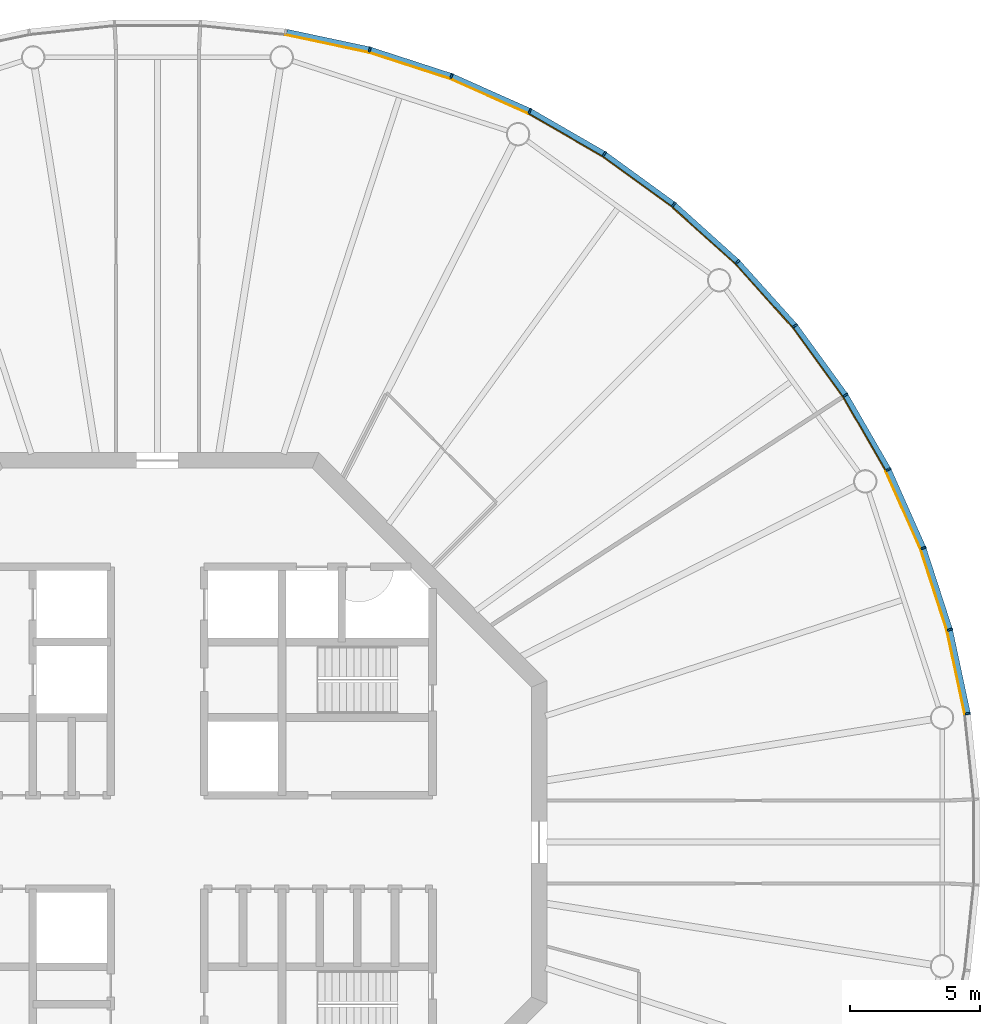
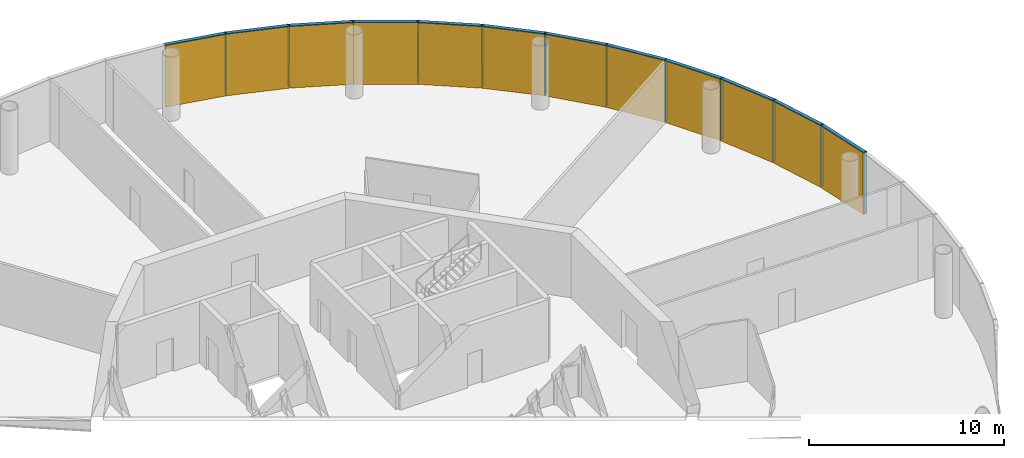
# One storey, part 12 of 13: 24 members, 4 curtain walls.
"""IFC4 building model written with IfcOpenShell, lengths in metres."""

from ifc_helpers import new_model, si_unit, direction, frame, origin, origin_2d, place, context, subcontext, project, spatial, polyline, rectangle, outline, extrude, material, layer, layer_set, material_profile, profile_set, type_object, element, aggregate, save


model = new_model("IFC4")

# Units and contexts
model_context = context("Model", 3, precision=1e-05, world=origin(), true_north=direction((0.0, 1.0)))
body_context = subcontext(model_context, "Body", "Model", "MODEL_VIEW")
ifc_project = project(units=[si_unit("LENGTHUNIT", "METRE"), si_unit("AREAUNIT", "SQUARE_METRE"), si_unit("VOLUMEUNIT", "CUBIC_METRE"), si_unit("PLANEANGLEUNIT", "RADIAN"), si_unit("MASSUNIT", "GRAM", prefix="KILO")], contexts=[model_context])

# Member
ifc_material_1 = material(Name="Anodised aluminium", Category="aluminium")
ifc_material_profile_1 = material_profile(ifc_material_1, rectangle(XDim=0.070068359375, YDim=0.205078125, at=origin_2d()), Name="Mullion 70 x 205 mm anodised aluminium")
ifc_profile_set_1 = profile_set([ifc_material_profile_1], Name="Anodised aluminium")
member_type_1 = type_object("IfcMemberType", Name="Mullion 70 x 205 mm anodised aluminium", PredefinedType="MULLION", material=ifc_profile_set_1)
site_placement = place(None, origin())
building_placement = place(site_placement, origin())
storey_placement = place(building_placement, frame((0.0, 0.0, 364.0)))
member_1_placement = place(storey_placement, frame((121.21337890625, 84.943603515625, 0.0), z_axis=(0.0, 0.0, 1.0), x_axis=(-0.15643446504, 0.987688340595, 0.0)))
member_1 = element("IfcMember", 1, at=member_1_placement, type_object=member_type_1, Name="MULLION L84-00", PredefinedType="MULLION", context=body_context, shape_type="SweptSolid", body=[
    extrude(rectangle(XDim=0.070068359375, YDim=0.205078125, at=origin_2d()), origin(), (0.0, 0.0, 1.0), 3.85009765625),
])

member_2_placement = place(storey_placement, frame((120.525634765625, 88.179443359375, 0.0), z_axis=(0.0, 0.0, 1.0), x_axis=(-0.258819045103, 0.965925826289, 0.0)))
member_2 = element("IfcMember", 2, at=member_2_placement, type_object=member_type_1, Name="MULLION L84-01", PredefinedType="MULLION", context=body_context, shape_type="SweptSolid", body=[
    extrude(rectangle(XDim=0.070068359375, YDim=0.205078125, at=origin_2d()), origin(), (0.0, 0.0, 1.0), 3.85009765625),
])

member_3_placement = place(storey_placement, frame((119.50341796875, 91.325439453125, 0.0), z_axis=(0.0, 0.0, 1.0), x_axis=(-0.358367949545, 0.933580426497, 0.0)))
member_3 = element("IfcMember", 3, at=member_3_placement, type_object=member_type_1, Name="MULLION L84-02", PredefinedType="MULLION", context=body_context, shape_type="SweptSolid", body=[
    extrude(rectangle(XDim=0.070068359375, YDim=0.205078125, at=origin_2d()), origin(), (0.0, 0.0, 1.0), 3.85009765625),
])

member_4_placement = place(storey_placement, frame((118.157958984375, 94.34716796875, 0.0), z_axis=(0.0, 0.0, 1.0), x_axis=(-0.45399049974, 0.891006524188, 0.0)))
member_4 = element("IfcMember", 4, at=member_4_placement, type_object=member_type_1, Name="MULLION L84-03", PredefinedType="MULLION", context=body_context, shape_type="SweptSolid", body=[
    extrude(rectangle(XDim=0.070068359375, YDim=0.205078125, at=origin_2d()), origin(), (0.0, 0.0, 1.0), 3.85009765625),
])

member_5_placement = place(storey_placement, frame((116.504150390625, 97.2119140625, 0.0), z_axis=(0.0, 0.0, 1.0), x_axis=(-0.544639035015, 0.838670567945, 0.0)))
member_5 = element("IfcMember", 5, at=member_5_placement, type_object=member_type_1, Name="MULLION L84-04", PredefinedType="MULLION", context=body_context, shape_type="SweptSolid", body=[
    extrude(rectangle(XDim=0.070068359375, YDim=0.205078125, at=origin_2d()), origin(), (0.0, 0.0, 1.0), 3.85009765625),
])

member_6_placement = place(storey_placement, frame((114.559814453125, 99.88818359375, 0.0), z_axis=(0.0, 0.0, 1.0), x_axis=(-0.62932039105, 0.777145961457, 0.0)))
member_6 = element("IfcMember", 6, at=member_6_placement, type_object=member_type_1, Name="MULLION L84-05", PredefinedType="MULLION", context=body_context, shape_type="SweptSolid", body=[
    extrude(rectangle(XDim=0.070068359375, YDim=0.205078125, at=origin_2d()), origin(), (0.0, 0.0, 1.0), 3.85009765625),
])

member_7_placement = place(storey_placement, frame((112.346435546875, 102.346435546875, 0.0), z_axis=(0.0, 0.0, 1.0), x_axis=(-0.707106781187, 0.707106781187, 0.0)))
member_7 = element("IfcMember", 7, at=member_7_placement, type_object=member_type_1, Name="MULLION L84-06", PredefinedType="MULLION", context=body_context, shape_type="SweptSolid", body=[
    extrude(rectangle(XDim=0.070068359375, YDim=0.205078125, at=origin_2d()), origin(), (0.0, 0.0, 1.0), 3.85009765625),
])

member_8_placement = place(storey_placement, frame((109.88818359375, 104.559814453125, 0.0), z_axis=(0.0, 0.0, 1.0), x_axis=(-0.777145961457, 0.62932039105, 0.0)))
member_8 = element("IfcMember", 8, at=member_8_placement, type_object=member_type_1, Name="MULLION L84-07", PredefinedType="MULLION", context=body_context, shape_type="SweptSolid", body=[
    extrude(rectangle(XDim=0.070068359375, YDim=0.205078125, at=origin_2d()), origin(), (0.0, 0.0, 1.0), 3.85009765625),
])

member_9_placement = place(storey_placement, frame((107.2119140625, 106.504150390625, 0.0), z_axis=(0.0, 0.0, 1.0), x_axis=(-0.838670567945, 0.544639035015, 0.0)))
member_9 = element("IfcMember", 9, at=member_9_placement, type_object=member_type_1, Name="MULLION L84-08", PredefinedType="MULLION", context=body_context, shape_type="SweptSolid", body=[
    extrude(rectangle(XDim=0.070068359375, YDim=0.205078125, at=origin_2d()), origin(), (0.0, 0.0, 1.0), 3.85009765625),
])

member_10_placement = place(storey_placement, frame((104.34716796875, 108.157958984375, 0.0), z_axis=(0.0, 0.0, 1.0), x_axis=(-0.891006524188, 0.45399049974, 0.0)))
member_10 = element("IfcMember", 10, at=member_10_placement, type_object=member_type_1, Name="MULLION L84-09", PredefinedType="MULLION", context=body_context, shape_type="SweptSolid", body=[
    extrude(rectangle(XDim=0.070068359375, YDim=0.205078125, at=origin_2d()), origin(), (0.0, 0.0, 1.0), 3.85009765625),
])

member_11_placement = place(storey_placement, frame((101.325439453125, 109.50341796875, 0.0), z_axis=(0.0, 0.0, 1.0), x_axis=(-0.933580426497, 0.358367949545, 0.0)))
member_11 = element("IfcMember", 11, at=member_11_placement, type_object=member_type_1, Name="MULLION L84-10", PredefinedType="MULLION", context=body_context, shape_type="SweptSolid", body=[
    extrude(rectangle(XDim=0.070068359375, YDim=0.205078125, at=origin_2d()), origin(), (0.0, 0.0, 1.0), 3.85009765625),
])

member_12_placement = place(storey_placement, frame((98.179443359375, 110.525634765625, 0.0), z_axis=(0.0, 0.0, 1.0), x_axis=(-0.965925826289, 0.258819045103, 0.0)))
member_12 = element("IfcMember", 12, at=member_12_placement, type_object=member_type_1, Name="MULLION L84-11", PredefinedType="MULLION", context=body_context, shape_type="SweptSolid", body=[
    extrude(rectangle(XDim=0.070068359375, YDim=0.205078125, at=origin_2d()), origin(), (0.0, 0.0, 1.0), 3.85009765625),
])

ifc_material_2 = material(Name="Anodised aluminium", Category="aluminium")
ifc_material_profile_2 = material_profile(ifc_material_2, rectangle(XDim=0.205078125, YDim=0.195068359375, at=origin_2d()), Name="Transom 195 x 205 mm anodised aluminium")
ifc_profile_set_2 = profile_set([ifc_material_profile_2], Name="Anodised aluminium")
member_type_2 = type_object("IfcMemberType", Name="Transom 195 x 205 mm anodised aluminium", PredefinedType="USERDEFINED", material=ifc_profile_set_2)
member_13_placement = place(storey_placement, frame((121.205078125, 84.983154296875, 3.75244140625), z_axis=(-0.207885898771, 0.978153082647, 0.0), x_axis=(-0.978153082647, -0.207885898771, 0.0)))
member_13 = element("IfcMember", 13, at=member_13_placement, type_object=member_type_2, Name="TRANSOM L84-00", ObjectType="TRANSOM", PredefinedType="USERDEFINED", context=body_context, shape_type="SweptSolid", body=[
    extrude(rectangle(XDim=0.205078125, YDim=0.195068359375, at=origin_2d()), origin(), (0.0, 0.0, 1.0), 3.227294921875),
])

member_14_placement = place(storey_placement, frame((120.513427734375, 88.2177734375, 3.75244140625), z_axis=(-0.309046726844, 0.951046855117, 0.0), x_axis=(-0.951046855117, -0.309046726844, 0.0)))
member_14 = element("IfcMember", 14, at=member_14_placement, type_object=member_type_2, Name="TRANSOM L84-01", ObjectType="TRANSOM", PredefinedType="USERDEFINED", context=body_context, shape_type="SweptSolid", body=[
    extrude(rectangle(XDim=0.205078125, YDim=0.195068359375, at=origin_2d()), origin(), (0.0, 0.0, 1.0), 3.22705078125),
])

member_15_placement = place(storey_placement, frame((119.4873046875, 91.3623046875, 3.75244140625), z_axis=(-0.406791170024, 0.913521178731, 0.0), x_axis=(-0.913521178731, -0.406791170024, 0.0)))
member_15 = element("IfcMember", 15, at=member_15_placement, type_object=member_type_2, Name="TRANSOM L84-02", ObjectType="TRANSOM", PredefinedType="USERDEFINED", context=body_context, shape_type="SweptSolid", body=[
    extrude(rectangle(XDim=0.205078125, YDim=0.195068359375, at=origin_2d()), origin(), (0.0, 0.0, 1.0), 3.22705078125),
])

member_16_placement = place(storey_placement, frame((118.137939453125, 94.38232421875, 3.75244140625), z_axis=(-0.500004055213, 0.866023062494, 0.0), x_axis=(-0.866023062494, -0.500004055213, 0.0)))
member_16 = element("IfcMember", 16, at=member_16_placement, type_object=member_type_2, Name="TRANSOM L84-03", ObjectType="TRANSOM", PredefinedType="USERDEFINED", context=body_context, shape_type="SweptSolid", body=[
    extrude(rectangle(XDim=0.205078125, YDim=0.195068359375, at=origin_2d()), origin(), (0.0, 0.0, 1.0), 3.22705078125),
])

member_17_placement = place(storey_placement, frame((116.48046875, 97.24462890625, 3.75244140625), z_axis=(-0.587802790201, 0.809004252048, 0.0), x_axis=(-0.809004252048, -0.587802790201, 0.0)))
member_17 = element("IfcMember", 17, at=member_17_placement, type_object=member_type_2, Name="TRANSOM L84-04", ObjectType="TRANSOM", PredefinedType="USERDEFINED", context=body_context, shape_type="SweptSolid", body=[
    extrude(rectangle(XDim=0.205078125, YDim=0.195068359375, at=origin_2d()), origin(), (0.0, 0.0, 1.0), 3.227294921875),
])

member_18_placement = place(storey_placement, frame((114.532958984375, 99.918212890625, 3.75244140625), z_axis=(-0.669144438484, 0.743132370743, 0.0), x_axis=(-0.743132370743, -0.669144438484, 0.0)))
member_18 = element("IfcMember", 18, at=member_18_placement, type_object=member_type_2, Name="TRANSOM L84-05", ObjectType="TRANSOM", PredefinedType="USERDEFINED", context=body_context, shape_type="SweptSolid", body=[
    extrude(rectangle(XDim=0.205078125, YDim=0.195068359375, at=origin_2d()), origin(), (0.0, 0.0, 1.0), 3.22705078125),
])

member_19_placement = place(storey_placement, frame((112.31640625, 102.37353515625, 3.75244140625), z_axis=(-0.743132370743, 0.669144438484, 0.0), x_axis=(-0.669144438484, -0.743132370743, 0.0)))
member_19 = element("IfcMember", 19, at=member_19_placement, type_object=member_type_2, Name="TRANSOM L84-06", ObjectType="TRANSOM", PredefinedType="USERDEFINED", context=body_context, shape_type="SweptSolid", body=[
    extrude(rectangle(XDim=0.205078125, YDim=0.195068359375, at=origin_2d()), origin(), (0.0, 0.0, 1.0), 3.22705078125),
])

member_20_placement = place(storey_placement, frame((109.85546875, 104.58349609375, 3.75244140625), z_axis=(-0.809004252048, 0.587802790201, 0.0), x_axis=(-0.587802790201, -0.809004252048, 0.0)))
member_20 = element("IfcMember", 20, at=member_20_placement, type_object=member_type_2, Name="TRANSOM L84-07", ObjectType="TRANSOM", PredefinedType="USERDEFINED", context=body_context, shape_type="SweptSolid", body=[
    extrude(rectangle(XDim=0.205078125, YDim=0.195068359375, at=origin_2d()), origin(), (0.0, 0.0, 1.0), 3.227294921875),
])

member_21_placement = place(storey_placement, frame((107.177001953125, 106.5244140625, 3.75244140625), z_axis=(-0.866023062494, 0.500004055213, 0.0), x_axis=(-0.500004055213, -0.866023062494, 0.0)))
member_21 = element("IfcMember", 21, at=member_21_placement, type_object=member_type_2, Name="TRANSOM L84-08", ObjectType="TRANSOM", PredefinedType="USERDEFINED", context=body_context, shape_type="SweptSolid", body=[
    extrude(rectangle(XDim=0.205078125, YDim=0.195068359375, at=origin_2d()), origin(), (0.0, 0.0, 1.0), 3.22705078125),
])

member_22_placement = place(storey_placement, frame((104.310302734375, 108.174560546875, 3.75244140625), z_axis=(-0.913521178731, 0.406791170024, 0.0), x_axis=(-0.406791170024, -0.913521178731, 0.0)))
member_22 = element("IfcMember", 22, at=member_22_placement, type_object=member_type_2, Name="TRANSOM L84-09", ObjectType="TRANSOM", PredefinedType="USERDEFINED", context=body_context, shape_type="SweptSolid", body=[
    extrude(rectangle(XDim=0.205078125, YDim=0.195068359375, at=origin_2d()), origin(), (0.0, 0.0, 1.0), 3.22705078125),
])

member_23_placement = place(storey_placement, frame((101.286865234375, 109.51611328125, 3.75244140625), z_axis=(-0.951046855117, 0.309046726844, 0.0), x_axis=(-0.309046726844, -0.951046855117, 0.0)))
member_23 = element("IfcMember", 23, at=member_23_placement, type_object=member_type_2, Name="TRANSOM L84-10", ObjectType="TRANSOM", PredefinedType="USERDEFINED", context=body_context, shape_type="SweptSolid", body=[
    extrude(rectangle(XDim=0.205078125, YDim=0.195068359375, at=origin_2d()), origin(), (0.0, 0.0, 1.0), 3.22705078125),
])

member_24_placement = place(storey_placement, frame((98.139892578125, 110.5341796875, 3.75244140625), z_axis=(-0.978153082647, 0.207885898771, 0.0), x_axis=(-0.207885898771, -0.978153082647, 0.0)))
member_24 = element("IfcMember", 24, at=member_24_placement, type_object=member_type_2, Name="TRANSOM L84-11", ObjectType="TRANSOM", PredefinedType="USERDEFINED", context=body_context, shape_type="SweptSolid", body=[
    extrude(rectangle(XDim=0.205078125, YDim=0.195068359375, at=origin_2d()), origin(), (0.0, 0.0, 1.0), 3.227294921875),
])

# Site, building, storey
site = spatial("IfcSite", under=ifc_project, at=site_placement, CompositionType="ELEMENT")
building = spatial("IfcBuilding", under=site, at=building_placement, Name="Entoto Ring Tower", CompositionType="ELEMENT")
storey = spatial("IfcBuildingStorey", under=building, at=storey_placement, Name="L84", CompositionType="ELEMENT", Elevation=364.0)

# Curtain wall
ifc_material_3 = material(Name="Clear low-iron glass", Category="glass")
ifc_layer = layer(ifc_material_3, 0.035888671875)
ifc_layer_set = layer_set([ifc_layer], Name="Clear low-iron glass")
curtain_wall_type = type_object("IfcCurtainWallType", Name="Curtain wall system CW6 glazing 36 mm", PredefinedType="NOTDEFINED", material=ifc_layer_set)
curtain_wall_1_placement = place(storey_placement, origin())
curtain_wall_1 = element("IfcCurtainWall", 25, at=curtain_wall_1_placement, inside=storey, type_object=curtain_wall_type, Name="CW6 L84-01", PredefinedType="NOTDEFINED", context=body_context, shape_type="SweptSolid", body=[
    extrude(outline(polyline([(121.1123046875, 84.927734375), (120.4267578125, 88.15283203125), (119.40771484375, 91.28857421875), (118.066650390625, 94.30078125), (118.03466796875, 94.284423828125), (119.3740234375, 91.275634765625), (120.391845703125, 88.1435546875), (121.07666015625, 84.922119140625), (121.1123046875, 84.927734375)])), origin(), (0.0, 0.0, 1.0), 3.85009765625),
])

aggregate(curtain_wall_1, [member_1, member_2, member_3, member_13, member_14, member_15])

curtain_wall_2_placement = place(storey_placement, origin())
curtain_wall_2 = element("IfcCurtainWall", 26, at=curtain_wall_2_placement, inside=storey, type_object=curtain_wall_type, Name="CW6 L84-02", PredefinedType="NOTDEFINED", context=body_context, shape_type="SweptSolid", body=[
    extrude(outline(polyline([(118.066650390625, 94.30078125), (116.418212890625, 97.15625), (114.47998046875, 99.823486328125), (112.27392578125, 102.27392578125), (112.248291015625, 102.248291015625), (114.4521484375, 99.801025390625), (116.387939453125, 97.136474609375), (118.03466796875, 94.284423828125), (118.066650390625, 94.30078125)])), origin(), (0.0, 0.0, 1.0), 3.85009765625),
])

aggregate(curtain_wall_2, [member_4, member_5, member_6, member_16, member_17, member_18])

curtain_wall_3_placement = place(storey_placement, origin())
curtain_wall_3 = element("IfcCurtainWall", 27, at=curtain_wall_3_placement, inside=storey, type_object=curtain_wall_type, Name="CW6 L84-03", PredefinedType="NOTDEFINED", context=body_context, shape_type="SweptSolid", body=[
    extrude(outline(polyline([(112.27392578125, 102.27392578125), (109.823486328125, 104.47998046875), (107.15625, 106.418212890625), (104.30078125, 108.066650390625), (104.284423828125, 108.03466796875), (107.136474609375, 106.387939453125), (109.801025390625, 104.4521484375), (112.248291015625, 102.248291015625), (112.27392578125, 102.27392578125)])), origin(), (0.0, 0.0, 1.0), 3.85009765625),
])

aggregate(curtain_wall_3, [member_7, member_8, member_9, member_19, member_20, member_21])

curtain_wall_4_placement = place(storey_placement, origin())
curtain_wall_4 = element("IfcCurtainWall", 28, at=curtain_wall_4_placement, inside=storey, type_object=curtain_wall_type, Name="CW6 L84-04", PredefinedType="NOTDEFINED", context=body_context, shape_type="SweptSolid", body=[
    extrude(outline(polyline([(104.30078125, 108.066650390625), (101.28857421875, 109.40771484375), (98.15283203125, 110.4267578125), (94.927734375, 111.1123046875), (94.922119140625, 111.07666015625), (98.1435546875, 110.391845703125), (101.275634765625, 109.3740234375), (104.284423828125, 108.03466796875), (104.30078125, 108.066650390625)])), origin(), (0.0, 0.0, 1.0), 3.85009765625),
])

aggregate(curtain_wall_4, [member_10, member_11, member_12, member_22, member_23, member_24])

save(model, "model.ifc")
